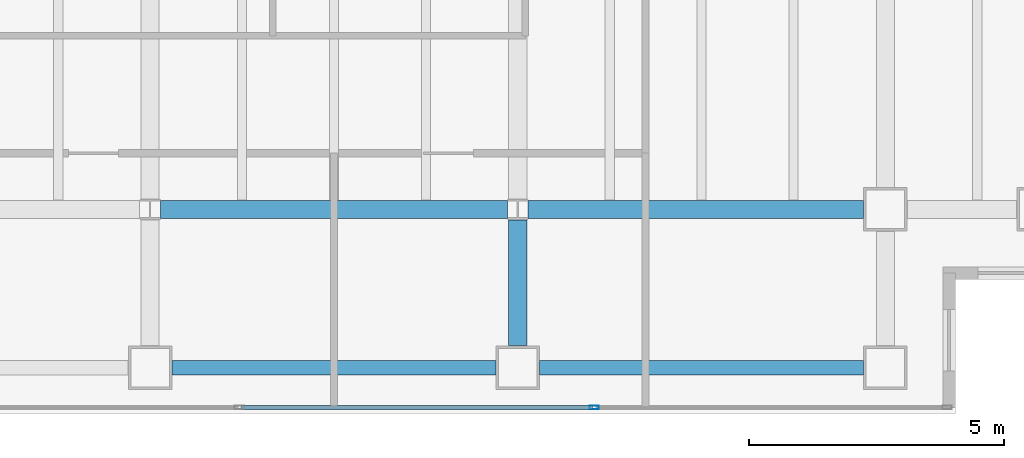
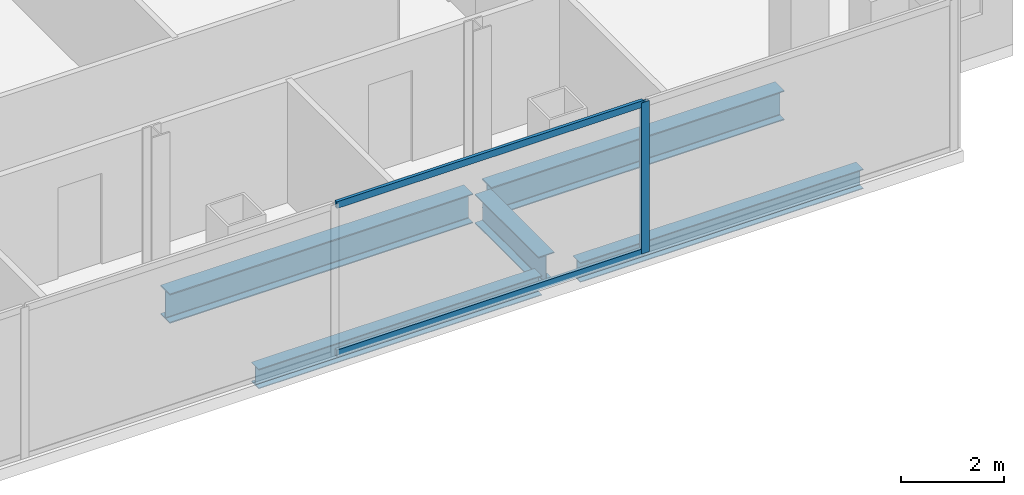
# One storey, part 9 of 23: 5 beams, 3 members, 1 element without a shape of its own.
"""IFC4 building model written with IfcOpenShell, lengths in metres."""

from ifc_helpers import new_model, si_unit, direction, frame, origin, origin_2d, place, context, subcontext, project, spatial, hollow_rectangle, i_section, extrude, material, material_profile, profile_set, type_object, element, aggregate, save


model = new_model("IFC4")

# Units and contexts
model_context = context("Model", 3, precision=1e-05, world=origin(), true_north=direction((0.0, 1.0)))
body_context = subcontext(model_context, "Body", "Model", "MODEL_VIEW")
ifc_project = project(units=[si_unit("LENGTHUNIT", "METRE"), si_unit("AREAUNIT", "SQUARE_METRE"), si_unit("VOLUMEUNIT", "CUBIC_METRE"), si_unit("PLANEANGLEUNIT", "RADIAN"), si_unit("MASSUNIT", "GRAM", prefix="KILO")], contexts=[model_context])

# Site, building, storey
site_placement = place(None, origin())
site = spatial("IfcSite", under=ifc_project, at=site_placement, CompositionType="ELEMENT")
building_placement = place(site_placement, origin())
building = spatial("IfcBuilding", under=site, at=building_placement, Name="Cobrela Telecom Tower", CompositionType="ELEMENT")
storey_placement = place(building_placement, frame((0.0, 0.0, 159.949951171875)))
storey = spatial("IfcBuildingStorey", under=building, at=storey_placement, Name="L40", CompositionType="ELEMENT", Elevation=159.949951171875)

# Beams
ifc_material_1 = material(Name="Steel ASTM A992 Grade 50", Category="steel")
ifc_material_profile_1 = material_profile(ifc_material_1, i_section(OverallWidth=0.35595703125, OverallDepth=0.696044921875, WebThickness=0.015380859375, FlangeThickness=0.024658203125, FilletRadius=0.01806640625, at=origin_2d()), Name="W27X146")
ifc_profile_set_1 = profile_set([ifc_material_profile_1], Name="Steel ASTM A992 Grade 50")
beam_type_1 = type_object("IfcBeamType", Name="BM-GIRD-05", PredefinedType="USERDEFINED", material=ifc_profile_set_1)
beam_1_placement = place(storey_placement, frame((29.00439453125, 7.199951171875, -0.617919921875), z_axis=(1.0, 0.0, 0.0), x_axis=(0.0, 1.0, 0.0)))
element("IfcBeam", 1, at=beam_1_placement, inside=storey, type_object=beam_type_1, Name="L40 Primary Girder X10", ObjectType="GIRDER", PredefinedType="USERDEFINED", context=body_context, shape_type="SweptSolid", body=[
    extrude(i_section(OverallWidth=0.35595703125, OverallDepth=0.696044921875, WebThickness=0.015380859375, FlangeThickness=0.024658203125, FilletRadius=0.01806640625, at=origin_2d()), origin(), (0.0, 0.0, 1.0), 6.791015625),
])
beam_2_placement = place(storey_placement, frame((36.20458984375, 7.199951171875, -0.617919921875), z_axis=(1.0, 0.0, 0.0), x_axis=(0.0, 1.0, 0.0)))
element("IfcBeam", 2, at=beam_2_placement, inside=storey, type_object=beam_type_1, Name="L40 Primary Girder X11", ObjectType="GIRDER", PredefinedType="USERDEFINED", context=body_context, shape_type="SweptSolid", body=[
    extrude(i_section(OverallWidth=0.35595703125, OverallDepth=0.696044921875, WebThickness=0.015380859375, FlangeThickness=0.024658203125, FilletRadius=0.01806640625, at=origin_2d()), origin(), (0.0, 0.0, 1.0), 6.5654296875),
])
beam_3_placement = place(storey_placement, frame((36.0, 4.530029296875, -0.617919921875), z_axis=(0.0, 1.0, 0.0), x_axis=(-1.0, 0.0, 0.0)))
element("IfcBeam", 3, at=beam_3_placement, inside=storey, type_object=beam_type_1, Name="L40 Primary Girder Y45", ObjectType="GIRDER", PredefinedType="USERDEFINED", context=body_context, shape_type="SweptSolid", body=[
    extrude(i_section(OverallWidth=0.35595703125, OverallDepth=0.696044921875, WebThickness=0.015380859375, FlangeThickness=0.024658203125, FilletRadius=0.01806640625, at=origin_2d()), origin(), (0.0, 0.0, 1.0), 2.465576171875),
])
ifc_material_profile_2 = material_profile(ifc_material_1, i_section(OverallWidth=0.281982421875, OverallDepth=0.467041015625, WebThickness=0.01220703125, FlangeThickness=0.01953125, FilletRadius=0.012939453125, at=origin_2d()), Name="W18X86")
ifc_profile_set_2 = profile_set([ifc_material_profile_2], Name="Steel ASTM A992 Grade 50")
beam_type_2 = type_object("IfcBeamType", Name="BM-SPAND-04", PredefinedType="SPANDREL", material=ifc_profile_set_2)
for number, where, z_axis, x_axis, name in (
    (4, (29.22998046875, 4.10009765625, -0.50341796875), (1.0, 0.0, 0.0), (0.0, 1.0, 0.0), "L40 Perimeter Spandrel X04"),
    (5, (36.429931640625, 4.10009765625, -0.50341796875), (1.0, 0.0, 0.0), (0.0, 1.0, 0.0), "L40 Perimeter Spandrel X05"),
):
    element("IfcBeam", number, at=place(storey_placement, frame(where, z_axis=z_axis, x_axis=x_axis)), inside=storey, type_object=beam_type_2, Name=name, PredefinedType="SPANDREL", context=body_context, shape_type="SweptSolid", body=[
        extrude(i_section(OverallWidth=0.281982421875, OverallDepth=0.467041015625, WebThickness=0.01220703125, FlangeThickness=0.01953125, FilletRadius=0.012939453125, at=origin_2d()), origin(), (0.0, 0.0, 1.0), 6.340087890625),
    ])

# Curtain wall, members
ifc_material_2 = material(Name="Anodized Bronze Aluminium 6063-T6", Category="aluminium")
curtain_wall_type = type_object("IfcCurtainWallType", Name="CW-SYS-TEL", PredefinedType="USERDEFINED", material=ifc_material_2)
curtain_wall_placement = place(storey_placement, origin())
curtain_wall = element("IfcCurtainWall", 6, at=curtain_wall_placement, inside=storey, type_object=curtain_wall_type, Name="L40 Unitised Bronze Curtain Wall 17", ObjectType="UNITISED CURTAIN WALL", PredefinedType="USERDEFINED")
ifc_material_profile_3 = material_profile(ifc_material_2, hollow_rectangle(XDim=0.074951171875, YDim=0.179931640625, WallThickness=0.00390625, at=origin_2d()), Name="ALU 75x180x4")
ifc_profile_set_3 = profile_set([ifc_material_profile_3], Name="Anodized Bronze Aluminium 6063-T6")
member_type_1 = type_object("IfcMemberType", Name="CW-SYS-TEL-MUL", PredefinedType="MULLION", material=ifc_profile_set_3)
member_1_placement = place(storey_placement, frame((37.5, 3.320068359375, 0.0), z_axis=(0.0, 0.0, 1.0), x_axis=(0.0, -1.0, 0.0)))
member_1 = element("IfcMember", 7, at=member_1_placement, type_object=member_type_1, Name="CW-TEL mullion 2", PredefinedType="MULLION", context=body_context, shape_type="SweptSolid", body=[
    extrude(hollow_rectangle(XDim=0.074951171875, YDim=0.179931640625, WallThickness=0.00390625, at=origin_2d()), origin(), (0.0, 0.0, 1.0), 3.580078125),
])
ifc_material_profile_4 = material_profile(ifc_material_2, hollow_rectangle(XDim=0.070068359375, YDim=0.159912109375, WallThickness=0.00390625, at=origin_2d()), Name="ALU 70x160x4")
ifc_profile_set_4 = profile_set([ifc_material_profile_4], Name="Anodized Bronze Aluminium 6063-T6")
member_type_2 = type_object("IfcMemberType", Name="CW-SYS-TEL-TRN", PredefinedType="USERDEFINED", material=ifc_profile_set_4)
member_2_placement = place(storey_placement, frame((37.46240234375, 3.320068359375, 0.03515625), z_axis=(-1.0, 0.0, 0.0), x_axis=(0.0, -1.0, 0.0)))
member_2 = element("IfcMember", 8, at=member_2_placement, type_object=member_type_2, Name="CW-TEL transom 2.1", ObjectType="TRANSOM", PredefinedType="USERDEFINED", context=body_context, shape_type="SweptSolid", body=[
    extrude(hollow_rectangle(XDim=0.070068359375, YDim=0.159912109375, WallThickness=0.00390625, at=origin_2d()), origin(), (0.0, 0.0, 1.0), 6.875),
])
member_3_placement = place(storey_placement, frame((37.46240234375, 3.320068359375, 3.545166015625), z_axis=(-1.0, 0.0, 0.0), x_axis=(0.0, -1.0, 0.0)))
member_3 = element("IfcMember", 9, at=member_3_placement, type_object=member_type_2, Name="CW-TEL transom 2.2", ObjectType="TRANSOM", PredefinedType="USERDEFINED", context=body_context, shape_type="SweptSolid", body=[
    extrude(hollow_rectangle(XDim=0.070068359375, YDim=0.159912109375, WallThickness=0.00390625, at=origin_2d()), origin(), (0.0, 0.0, 1.0), 6.875),
])
aggregate(curtain_wall, [member_1, member_2, member_3])

save(model, "model.ifc")
